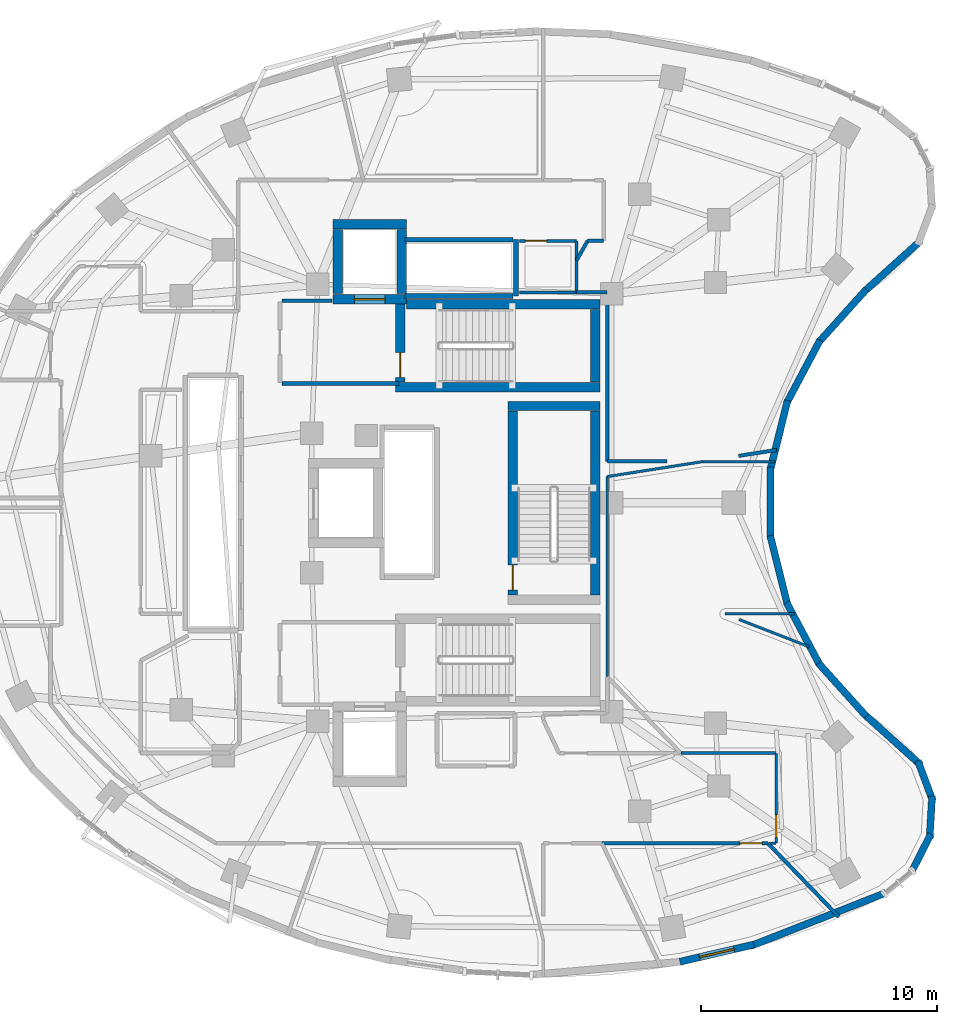
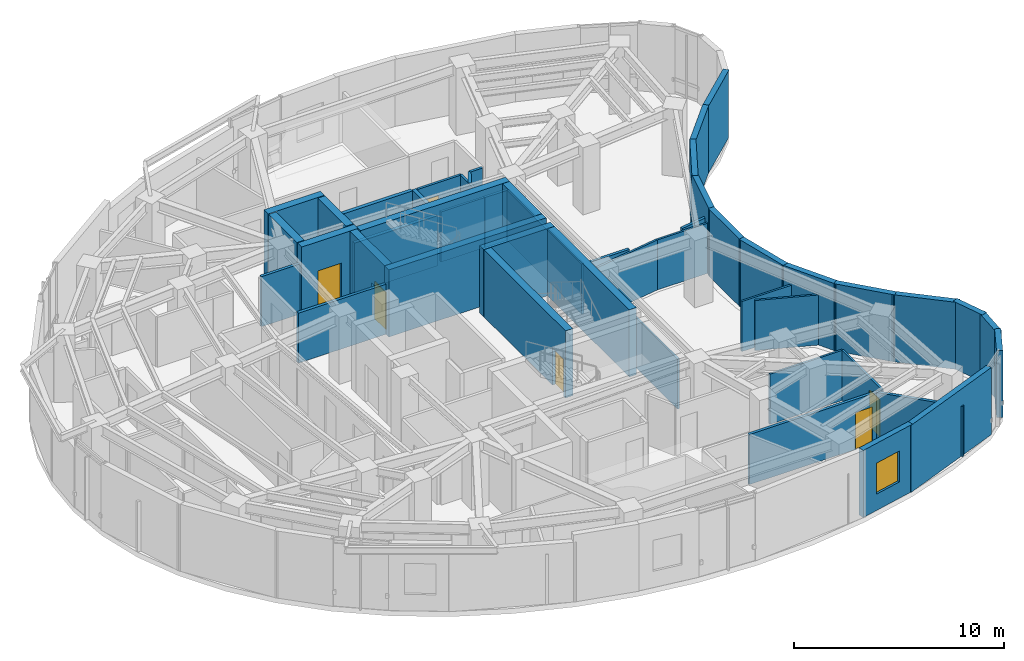
# One storey, part 9 of 13: 49 walls, 6 doors, 1 window, 7 openings.
"""IFC4 building model written with IfcOpenShell, lengths in metres."""

from ifc_helpers import new_model, si_unit, direction, frame, frame_2d, origin, place, context, subcontext, project, spatial, rectangle, extrude, material, layer, layer_set, type_object, element, fill, save


model = new_model("IFC4")

# Units and contexts
model_context = context("Model", 3, precision=1e-05, world=origin(), true_north=direction((0.0, 1.0)))
body_context = subcontext(model_context, "Body", "Model", "MODEL_VIEW")
ifc_project = project(units=[si_unit("LENGTHUNIT", "METRE"), si_unit("AREAUNIT", "SQUARE_METRE"), si_unit("VOLUMEUNIT", "CUBIC_METRE"), si_unit("PLANEANGLEUNIT", "RADIAN"), si_unit("MASSUNIT", "GRAM", prefix="KILO")], contexts=[model_context])

# Site, building, storey
site_placement = place(None, origin())
site = spatial("IfcSite", under=ifc_project, at=site_placement, CompositionType="ELEMENT")
building_placement = place(site_placement, origin())
building = spatial("IfcBuilding", under=site, at=building_placement, Name="Korentha Bioscience Tower", CompositionType="ELEMENT")
storey_placement = place(building_placement, frame((0.0, 0.0, 200.39990234375)))
storey = spatial("IfcBuildingStorey", under=building, at=storey_placement, Name="L46", CompositionType="ELEMENT", Elevation=200.39990234375)

# Walls
ifc_material_1 = material(Name="Double-Stud Acoustic Gypsum", Category="gypsum")
ifc_layer_1 = layer(ifc_material_1, 0.14990234375, Name="Double-Stud Acoustic Gypsum")
ifc_layer_set_1 = layer_set([ifc_layer_1], Name="Double-Stud Acoustic Gypsum (IW-L150)")
wall_type_1 = type_object("IfcWallType", Name="Acoustic Laboratory Partition Wall 150", PredefinedType="PARTITIONING", material=ifc_layer_set_1)
wall_1_placement = place(storey_placement, frame((36.5263671875, 38.090087890625, 0.0), z_axis=(0.0, 0.0, 1.0), x_axis=(1.0, 0.0, 0.0)))
element("IfcWall", 1, at=wall_1_placement, inside=storey, type_object=wall_type_1, Name="L46 Interior Partition 062", PredefinedType="PARTITIONING", context=body_context, shape_type="SweptSolid", body=[
    extrude(rectangle(XDim=0.673583984375, YDim=0.14990234375, at=frame_2d((0.3369140625, 0.0))), origin(), (0.0, 0.0, 1.0), 2.91015625),
])
wall_2_placement = place(storey_placement, frame((44.527099609375, 29.240478515625, 0.0), z_axis=(0.0, 0.0, 1.0), x_axis=(-0.987927620499, -0.154916160084, 0.0)))
element("IfcWall", 2, at=wall_2_placement, inside=storey, type_object=wall_type_1, Name="L46 Interior Partition 065", PredefinedType="PARTITIONING", context=body_context, shape_type="SweptSolid", body=[
    extrude(rectangle(XDim=1.629638671875, YDim=0.14990234375, at=frame_2d((0.81494140625, 0.0))), origin(), (0.0, 0.0, 1.0), 2.91015625),
])
wall_3_placement = place(storey_placement, frame((39.890869140625, 28.751953125, 0.0), z_axis=(0.0, 0.0, 1.0), x_axis=(-1.0, 0.0, 0.0)))
element("IfcWall", 3, at=wall_3_placement, inside=storey, type_object=wall_type_1, Name="L46 Interior Partition 066", PredefinedType="PARTITIONING", context=body_context, shape_type="SweptSolid", body=[
    extrude(rectangle(XDim=2.53076171875, YDim=0.14990234375, at=frame_2d((1.265380859375, 0.0))), origin(), (0.0, 0.0, 1.0), 2.91015625),
])
wall_4_placement = place(storey_placement, frame((37.360107421875, 28.751953125, 0.0), z_axis=(0.0, 0.0, 1.0), x_axis=(0.0, 1.0, 0.0)))
element("IfcWall", 4, at=wall_4_placement, inside=storey, type_object=wall_type_1, Name="L46 Interior Partition 067", PredefinedType="PARTITIONING", context=body_context, shape_type="SweptSolid", body=[
    extrude(rectangle(XDim=7.14794921875, YDim=0.14990234375, at=frame_2d((3.573974609375, 0.0))), origin(), (0.0, 0.0, 1.0), 2.91015625),
])
wall_5_placement = place(storey_placement, frame((37.35009765625, 35.909912109375, 0.0), z_axis=(0.0, 0.0, 1.0), x_axis=(-1.0, 0.0, 0.0)))
element("IfcWall", 5, at=wall_5_placement, inside=storey, type_object=wall_type_1, Name="L46 Interior Partition 068", PredefinedType="PARTITIONING", context=body_context, shape_type="SweptSolid", body=[
    extrude(rectangle(XDim=1.2900390625, YDim=0.14990234375, at=frame_2d((0.64501953125, 0.0))), origin(), (0.0, 0.0, 1.0), 2.91015625),
])
wall_6_placement = place(storey_placement, frame((36.06005859375, 37.26416015625, 0.0), z_axis=(0.0, 0.0, 1.0), x_axis=(0.491641592744, 0.8707976483, 0.0)))
element("IfcWall", 6, at=wall_6_placement, inside=storey, type_object=wall_type_1, Name="L46 Interior Partition 069", PredefinedType="PARTITIONING", context=body_context, shape_type="SweptSolid", body=[
    extrude(rectangle(XDim=0.948486328125, YDim=0.14990234375, at=frame_2d((0.47412109375, 0.0))), origin(), (0.0, 0.0, 1.0), 2.91015625),
])

# Wall, opening, door
ifc_material_2 = material(Name="Fire-Rated Framed Glass", Category="glass")
ifc_layer_2 = layer(ifc_material_2, 0.110107421875, Name="Fire-Rated Framed Glass")
ifc_layer_set_2 = layer_set([ifc_layer_2], Name="Fire-Rated Framed Glass (IW-G110)")
wall_type_2 = type_object("IfcWallType", Name="Demountable Glazed Office Partition 110", PredefinedType="MOVABLE", material=ifc_layer_set_2)
wall_7_placement = place(storey_placement, frame((44.510009765625, 12.60009765625, 0.0), z_axis=(0.0, 0.0, 1.0), x_axis=(0.0, 1.0, 0.0)))
wall_7 = element("IfcWall", 7, at=wall_7_placement, inside=storey, type_object=wall_type_2, Name="L46 Postdoctoral Fellows' Quiet Study 07 Entrance Wall", PredefinedType="MOVABLE", context=body_context, shape_type="SweptSolid", body=[
    extrude(rectangle(XDim=3.7998046875, YDim=0.110107421875, at=frame_2d((1.89990234375, 0.0))), origin(), (0.0, 0.0, 1.0), 2.91015625),
])
opening_1_placement = place(wall_7_placement, frame((0.239990234375, 0.0, 0.0)))
opening_1 = element("IfcOpeningElement", 8, at=opening_1_placement, cuts=wall_7, Name="Opening ID-10L", PredefinedType="OPENING", context=body_context, shape_type="SweptSolid", body=[
    extrude(rectangle(XDim=0.949951171875, YDim=2.14990234375, at=frame_2d((0.47509765625, 1.074951171875))), frame((0.0, 0.06982421875, 0.0), z_axis=(0.0, -1.0, 0.0), x_axis=(1.0, 0.0, 0.0)), (0.0, 0.0, 1.0), 0.139892578125),
])
ifc_material_3 = material(Name="Phenolic Laminate Timber Core", Category="wood")
door_type_1 = type_object("IfcDoorType", Name="Laboratory Single Leaf Door 950x2150 Left", OperationType="SINGLE_SWING_LEFT", PredefinedType="DOOR", material=ifc_material_3)
door_1_placement = place(opening_1_placement, origin())
door_1 = element("IfcDoor", 9, at=door_1_placement, inside=storey, type_object=door_type_1, Name="L46 Postdoctoral Fellows' Quiet Study 07 Door", OperationType="SINGLE_SWING_LEFT", OverallHeight=2.14990234375, OverallWidth=0.949951171875, PredefinedType="DOOR", context=body_context, shape_type="SweptSolid", body=[
    extrude(rectangle(XDim=0.949951171875, YDim=2.14990234375, at=frame_2d((0.47509765625, 1.074951171875))), frame((0.0, 0.02490234375, 0.0), z_axis=(0.0, -1.0, 0.0), x_axis=(1.0, 0.0, 0.0)), (0.0, 0.0, 1.0), 0.050048828125),
])
fill(opening_1, door_1)

# Walls
wall_8_placement = place(storey_placement, frame((41.413818359375, 28.748046875, 0.0), z_axis=(0.0, 0.0, 1.0), x_axis=(1.0, 0.0, 0.0)))
element("IfcWall", 10, at=wall_8_placement, inside=storey, type_object=wall_type_2, Name="L46 Interior Partition 055", PredefinedType="MOVABLE", context=body_context, shape_type="SweptSolid", body=[
    extrude(rectangle(XDim=3.032958984375, YDim=0.110107421875, at=frame_2d((1.5166015625, 0.0))), origin(), (0.0, 0.0, 1.0), 2.91015625),
])
wall_9_placement = place(storey_placement, frame((45.27783203125, 22.302001953125, 0.0), z_axis=(0.0, 0.0, 1.0), x_axis=(-1.0, 0.0, 0.0)))
element("IfcWall", 11, at=wall_9_placement, inside=storey, type_object=wall_type_2, Name="L46 Interior Partition 056", PredefinedType="MOVABLE", context=body_context, shape_type="SweptSolid", body=[
    extrude(rectangle(XDim=2.93408203125, YDim=0.110107421875, at=frame_2d((1.467041015625, 0.0))), origin(), (0.0, 0.0, 1.0), 2.91015625),
])
wall_10_placement = place(storey_placement, frame((42.93896484375, 22.06201171875, 0.0), z_axis=(0.0, 0.0, 1.0), x_axis=(0.931857637411, -0.362824122129, 0.0)))
element("IfcWall", 12, at=wall_10_placement, inside=storey, type_object=wall_type_2, Name="L46 Interior Partition 057", PredefinedType="MOVABLE", context=body_context, shape_type="SweptSolid", body=[
    extrude(rectangle(XDim=3.18017578125, YDim=0.110107421875, at=frame_2d((1.590087890625, 0.0))), origin(), (0.0, 0.0, 1.0), 2.91015625),
])
wall_11_placement = place(storey_placement, frame((44.271728515625, 12.590087890625, 0.0), z_axis=(0.0, 0.0, 1.0), x_axis=(1.0, 0.0, 0.0)))
element("IfcWall", 13, at=wall_11_placement, inside=storey, type_object=wall_type_2, Name="L46 Interior Partition 058", PredefinedType="MOVABLE", context=body_context, shape_type="SweptSolid", body=[
    extrude(rectangle(XDim=0.228271484375, YDim=0.110107421875, at=frame_2d((0.1142578125, 0.0))), origin(), (0.0, 0.0, 1.0), 2.91015625),
])
wall_12_placement = place(storey_placement, frame((44.5, 16.409912109375, 0.0), z_axis=(0.0, 0.0, 1.0), x_axis=(-1.0, 0.0, 0.0)))
element("IfcWall", 14, at=wall_12_placement, inside=storey, type_object=wall_type_2, Name="L46 Interior Partition 059", PredefinedType="MOVABLE", context=body_context, shape_type="SweptSolid", body=[
    extrude(rectangle(XDim=4.017822265625, YDim=0.110107421875, at=frame_2d((2.0087890625, 0.0))), origin(), (0.0, 0.0, 1.0), 2.91015625),
])
wall_13_placement = place(storey_placement, frame((37.360107421875, 19.64697265625, 0.0), z_axis=(0.0, 0.0, 1.0), x_axis=(0.0, 1.0, 0.0)))
element("IfcWall", 15, at=wall_13_placement, inside=storey, type_object=wall_type_2, Name="L46 Interior Partition 060", PredefinedType="MOVABLE", context=body_context, shape_type="SweptSolid", body=[
    extrude(rectangle(XDim=8.46484375, YDim=0.110107421875, at=frame_2d((4.232421875, 0.0))), origin(), (0.0, 0.0, 1.0), 2.91015625),
])
wall_14_placement = place(storey_placement, frame((37.360107421875, 28.11181640625, 0.0), z_axis=(0.0, 0.0, 1.0), x_axis=(0.987904875431, 0.155061139877, 0.0)))
element("IfcWall", 16, at=wall_14_placement, inside=storey, type_object=wall_type_2, Name="L46 Interior Partition 061", PredefinedType="MOVABLE", context=body_context, shape_type="SweptSolid", body=[
    extrude(rectangle(XDim=4.10302734375, YDim=0.110107421875, at=frame_2d((2.051513671875, 0.0))), origin(), (0.0, 0.0, 1.0), 2.91015625),
])
ifc_material_4 = material(Name="Gypsum-Clad Steel Stud", Category="steel")
ifc_layer_3 = layer(ifc_material_4, 0.159912109375, Name="Gypsum-Clad Steel Stud")
ifc_layer_set_3 = layer_set([ifc_layer_3], Name="Gypsum-Clad Steel Stud (IW-C160)")
wall_type_3 = type_object("IfcWallType", Name="Fire-Rated Corridor Partition Wall 160", PredefinedType="PARTITIONING", material=ifc_layer_set_3)
wall_15_placement = place(storey_placement, frame((23.580078125, 32.050048828125, 0.0), z_axis=(0.0, 0.0, 1.0), x_axis=(1.0, 0.0, 0.0)))
element("IfcWall", 17, at=wall_15_placement, inside=storey, type_object=wall_type_3, Name="L46 Firefighting Lobby Return Wall FFLN-S", PredefinedType="PARTITIONING", context=body_context, shape_type="SweptSolid", body=[
    extrude(rectangle(XDim=4.969970703125, YDim=0.159912109375, at=frame_2d((2.48486328125, 0.0))), origin(), (0.0, 0.0, 1.0), 2.91015625),
])
wall_16_placement = place(storey_placement, frame((23.580078125, 35.550048828125, 0.0), z_axis=(0.0, 0.0, 1.0), x_axis=(1.0, 0.0, 0.0)))
element("IfcWall", 18, at=wall_16_placement, inside=storey, type_object=wall_type_3, Name="L46 Firefighting Lobby Return Wall FFLN-N", PredefinedType="PARTITIONING", context=body_context, shape_type="SweptSolid", body=[
    extrude(rectangle(XDim=2.119873046875, YDim=0.159912109375, at=frame_2d((1.06005859375, 0.0))), origin(), (0.0, 0.0, 1.0), 2.91015625),
])

# Wall, opening, door
wall_17_placement = place(storey_placement, frame((37.143310546875, 12.590087890625, 0.0), z_axis=(0.0, 0.0, 1.0), x_axis=(1.0, 0.0, 0.0)))
wall_17 = element("IfcWall", 19, at=wall_17_placement, inside=storey, type_object=wall_type_3, Name="L46 Solvent and Chemical Weighing Room 05 Entrance Wall", PredefinedType="PARTITIONING", context=body_context, shape_type="SweptSolid", body=[
    extrude(rectangle(XDim=7.01318359375, YDim=0.159912109375, at=frame_2d((3.506591796875, 0.0))), origin(), (0.0, 0.0, 1.0), 2.91015625),
])
opening_2_placement = place(wall_17_placement, frame((5.822998046875, 0.0, 0.0)))
opening_2 = element("IfcOpeningElement", 20, at=opening_2_placement, cuts=wall_17, Name="Opening ID-10L", PredefinedType="OPENING", context=body_context, shape_type="SweptSolid", body=[
    extrude(rectangle(XDim=0.949951171875, YDim=2.14990234375, at=frame_2d((0.47509765625, 1.074951171875))), frame((0.0, 0.0947265625, 0.0), z_axis=(0.0, -1.0, 0.0), x_axis=(1.0, 0.0, 0.0)), (0.0, 0.0, 1.0), 0.189697265625),
])
door_2_placement = place(opening_2_placement, origin())
door_2 = element("IfcDoor", 21, at=door_2_placement, inside=storey, type_object=door_type_1, Name="L46 Solvent and Chemical Weighing Room 05 Door", OperationType="SINGLE_SWING_LEFT", OverallHeight=2.14990234375, OverallWidth=0.949951171875, PredefinedType="DOOR", context=body_context, shape_type="SweptSolid", body=[
    extrude(rectangle(XDim=0.949951171875, YDim=2.14990234375, at=frame_2d((0.47509765625, 1.074951171875))), frame((0.0, 0.02490234375, 0.0), z_axis=(0.0, -1.0, 0.0), x_axis=(1.0, 0.0, 0.0)), (0.0, 0.0, 1.0), 0.050048828125),
])
fill(opening_2, door_2)

# Wall
wall_18_placement = place(storey_placement, frame((44.156494140625, 12.590087890625, 0.0), z_axis=(0.0, 0.0, 1.0), x_axis=(0.694194120351, -0.719787832121, 0.0)))
element("IfcWall", 22, at=wall_18_placement, inside=storey, type_object=wall_type_3, Name="L46 Interior Partition 049", PredefinedType="PARTITIONING", context=body_context, shape_type="SweptSolid", body=[
    extrude(rectangle(XDim=4.3212890625, YDim=0.159912109375, at=frame_2d((2.16064453125, 0.0))), origin(), (0.0, 0.0, 1.0), 2.91015625),
])

# Wall, opening, window
ifc_material_5 = material(Name="Honed Limestone Precast Concrete C40", Category="masonry")
ifc_layer_4 = layer(ifc_material_5, 0.300048828125, Name="Honed Limestone Precast Concrete C40")
ifc_layer_set_4 = layer_set([ifc_layer_4], Name="Honed Limestone Precast Concrete C40 (EW-ST300)")
wall_type_4 = type_object("IfcWallType", Name="Honed Limestone Cavity Spandrel Wall 300", PredefinedType="STANDARD", material=ifc_layer_set_4)
wall_19_placement = place(storey_placement, frame((40.43212890625, 7.5771484375, 0.0), z_axis=(0.0, 0.0, 1.0), x_axis=(0.974139105955, 0.225949114292, 0.0)))
wall_19 = element("IfcWall", 23, at=wall_19_placement, inside=storey, type_object=wall_type_4, Name="L46 Honed Limestone Spandrel Wall 34", PredefinedType="STANDARD", context=body_context, shape_type="SweptSolid", body=[
    extrude(rectangle(XDim=3.20703125, YDim=0.300048828125, at=frame_2d((1.603515625, 0.0))), origin(), (0.0, 0.0, 1.0), 3.900146484375),
])
opening_3_placement = place(wall_19_placement, frame((0.853515625, 0.0, 0.949951171875)))
opening_3 = element("IfcOpeningElement", 24, at=opening_3_placement, cuts=wall_19, Name="Opening WN-02", PredefinedType="OPENING", context=body_context, shape_type="SweptSolid", body=[
    extrude(rectangle(XDim=1.5, YDim=1.800048828125, at=frame_2d((0.75, 0.89990234375))), frame((0.0, 0.1650390625, 0.0), z_axis=(0.0, -1.0, 0.0), x_axis=(1.0, 0.0, 0.0)), (0.0, 0.0, 1.0), 0.329833984375),
])
ifc_material_6 = material(Name="Thermally Broken Aluminium Triple Glazing", Category="aluminium")
window_type = type_object("IfcWindowType", Name="Acoustic Operable Office Window 1500x1800", PartitioningType="DOUBLE_PANEL_VERTICAL", PredefinedType="WINDOW", material=ifc_material_6)
window_placement = place(opening_3_placement, origin())
window = element("IfcWindow", 25, at=window_placement, inside=storey, type_object=window_type, Name="L46 Facade Window 34", OverallHeight=1.800048828125, OverallWidth=1.5, PartitioningType="DOUBLE_PANEL_VERTICAL", PredefinedType="WINDOW", context=body_context, shape_type="SweptSolid", body=[
    extrude(rectangle(XDim=1.5, YDim=1.800048828125, at=frame_2d((0.75, 0.89990234375))), frame((0.0, 0.030029296875, 0.0), z_axis=(0.0, -1.0, 0.0), x_axis=(1.0, 0.0, 0.0)), (0.0, 0.0, 1.0), 0.06005859375),
])
fill(opening_3, window)

# Walls
wall_20_placement = place(storey_placement, frame((43.408203125, 8.233154296875, 0.0), z_axis=(0.0, 0.0, 1.0), x_axis=(0.930442798472, 0.366437168928, 0.0)))
element("IfcWall", 26, at=wall_20_placement, inside=storey, type_object=wall_type_4, Name="L46 Limestone Perimeter Closure Wall 35", PredefinedType="STANDARD", context=body_context, shape_type="SweptSolid", body=[
    extrude(rectangle(XDim=6.158935546875, YDim=0.300048828125, at=frame_2d((3.07958984375, 0.0))), origin(), (0.0, 0.0, 1.0), 3.900146484375),
])
wall_21_placement = place(storey_placement, frame((50.235595703125, 11.37060546875, 0.0), z_axis=(0.0, 0.0, 1.0), x_axis=(0.454139309712, 0.890930686066, 0.0)))
element("IfcWall", 27, at=wall_21_placement, inside=storey, type_object=wall_type_4, Name="L46 Limestone Perimeter Closure Wall 38", PredefinedType="STANDARD", context=body_context, shape_type="SweptSolid", body=[
    extrude(rectangle(XDim=1.8154296875, YDim=0.300048828125, at=frame_2d((0.90771484375, 0.0))), origin(), (0.0, 0.0, 1.0), 3.900146484375),
])
wall_22_placement = place(storey_placement, frame((51.00390625, 12.781494140625, 0.0), z_axis=(0.0, 0.0, 1.0), x_axis=(0.057436686529, 0.998349150869, 0.0)))
element("IfcWall", 28, at=wall_22_placement, inside=storey, type_object=wall_type_4, Name="L46 Limestone Perimeter Closure Wall 39", PredefinedType="STANDARD", context=body_context, shape_type="SweptSolid", body=[
    extrude(rectangle(XDim=1.81494140625, YDim=0.300048828125, at=frame_2d((0.907470703125, 0.0))), origin(), (0.0, 0.0, 1.0), 3.900146484375),
])
wall_23_placement = place(storey_placement, frame((51.139892578125, 14.3818359375, 0.0), z_axis=(0.0, 0.0, 1.0), x_axis=(-0.348882068324, 0.937166635344, 0.0)))
element("IfcWall", 29, at=wall_23_placement, inside=storey, type_object=wall_type_4, Name="L46 Limestone Perimeter Closure Wall 40", PredefinedType="STANDARD", context=body_context, shape_type="SweptSolid", body=[
    extrude(rectangle(XDim=1.815185546875, YDim=0.300048828125, at=frame_2d((0.90771484375, 0.0))), origin(), (0.0, 0.0, 1.0), 3.900146484375),
])
wall_24_placement = place(storey_placement, frame((50.63134765625, 15.8994140625, 0.0), z_axis=(0.0, 0.0, 1.0), x_axis=(-0.743417638904, 0.668827492083, 0.0)))
element("IfcWall", 30, at=wall_24_placement, inside=storey, type_object=wall_type_4, Name="L46 Limestone Perimeter Closure Wall 41", PredefinedType="STANDARD", context=body_context, shape_type="SweptSolid", body=[
    extrude(rectangle(XDim=3.24365234375, YDim=0.300048828125, at=frame_2d((1.621826171875, 0.0))), origin(), (0.0, 0.0, 1.0), 3.900146484375),
])
for number, where, z_axis, x_axis, name in (
    (31, (48.322509765625, 17.96630859375, 0.0), (0.0, 0.0, 1.0), (-0.669129534294, 0.743145790768, 0.0), "L46 Limestone Perimeter Closure Wall 43"),
    (32, (46.367919921875, 20.114501953125, 0.0), (0.0, 0.0, 1.0), (-0.469487277589, 0.88293923697, 0.0), "L46 Limestone Perimeter Closure Wall 45"),
):
    element("IfcWall", number, at=place(storey_placement, frame(where, z_axis=z_axis, x_axis=x_axis)), inside=storey, type_object=wall_type_4, Name=name, PredefinedType="STANDARD", context=body_context, shape_type="SweptSolid", body=[
        extrude(rectangle(XDim=3.028076171875, YDim=0.300048828125, at=frame_2d((1.51416015625, 0.0))), origin(), (0.0, 0.0, 1.0), 3.900146484375),
    ])
wall_25_placement = place(storey_placement, frame((44.990966796875, 22.671630859375, 0.0), z_axis=(0.0, 0.0, 1.0), x_axis=(-0.241947511962, 0.97028933904, 0.0)))
element("IfcWall", 33, at=wall_25_placement, inside=storey, type_object=wall_type_4, Name="L46 Limestone Perimeter Closure Wall 47", PredefinedType="STANDARD", context=body_context, shape_type="SweptSolid", body=[
    extrude(rectangle(XDim=3.0283203125, YDim=0.300048828125, at=frame_2d((1.51416015625, 0.0))), origin(), (0.0, 0.0, 1.0), 3.900146484375),
])
wall_26_placement = place(storey_placement, frame((44.273681640625, 25.486083984375, 0.0), z_axis=(0.0, 0.0, 1.0), x_axis=(0.0, 1.0, 0.0)))
element("IfcWall", 34, at=wall_26_placement, inside=storey, type_object=wall_type_4, Name="L46 Limestone Perimeter Closure Wall 49", PredefinedType="STANDARD", context=body_context, shape_type="SweptSolid", body=[
    extrude(rectangle(XDim=3.02783203125, YDim=0.300048828125, at=frame_2d((1.513916015625, 0.0))), origin(), (0.0, 0.0, 1.0), 3.900146484375),
])
wall_27_placement = place(storey_placement, frame((44.25830078125, 28.39013671875, 0.0), z_axis=(0.0, 0.0, 1.0), x_axis=(0.241947511962, 0.97028933904, 0.0)))
element("IfcWall", 35, at=wall_27_placement, inside=storey, type_object=wall_type_4, Name="L46 Limestone Perimeter Closure Wall 51", PredefinedType="STANDARD", context=body_context, shape_type="SweptSolid", body=[
    extrude(rectangle(XDim=3.0283203125, YDim=0.300048828125, at=frame_2d((1.51416015625, 0.0))), origin(), (0.0, 0.0, 1.0), 3.900146484375),
])
for number, where, z_axis, x_axis, name in (
    (36, (44.9462890625, 31.2119140625, 0.0), (0.0, 0.0, 1.0), (0.469487277589, 0.88293923697, 0.0), "L46 Limestone Perimeter Closure Wall 53"),
    (37, (46.29638671875, 33.783447265625, 0.0), (0.0, 0.0, 1.0), (0.669129534294, 0.743145790768, 0.0), "L46 Limestone Perimeter Closure Wall 55"),
):
    element("IfcWall", number, at=place(storey_placement, frame(where, z_axis=z_axis, x_axis=x_axis)), inside=storey, type_object=wall_type_4, Name=name, PredefinedType="STANDARD", context=body_context, shape_type="SweptSolid", body=[
        extrude(rectangle(XDim=3.028076171875, YDim=0.300048828125, at=frame_2d((1.51416015625, 0.0))), origin(), (0.0, 0.0, 1.0), 3.900146484375),
    ])
wall_28_placement = place(storey_placement, frame((48.219970703125, 35.93115234375, 0.0), z_axis=(0.0, 0.0, 1.0), x_axis=(0.743417638904, 0.668827492083, 0.0)))
element("IfcWall", 38, at=wall_28_placement, inside=storey, type_object=wall_type_4, Name="L46 Limestone Perimeter Closure Wall 57", PredefinedType="STANDARD", context=body_context, shape_type="SweptSolid", body=[
    extrude(rectangle(XDim=3.24365234375, YDim=0.300048828125, at=frame_2d((1.621826171875, 0.0))), origin(), (0.0, 0.0, 1.0), 3.900146484375),
])
ifc_material_7 = material(Name="Autoclaved Aerated Concrete Block C25", Category="concrete")
ifc_layer_5 = layer(ifc_material_7, 0.199951171875, Name="Autoclaved Aerated Concrete Block C25")
ifc_layer_set_5 = layer_set([ifc_layer_5], Name="Autoclaved Aerated Concrete Block C25 (IW-S200)")
wall_type_5 = type_object("IfcWallType", Name="Lift and Riser Shaft Enclosure Wall 200", PredefinedType="PARTITIONING", material=ifc_layer_set_5)
wall_29_placement = place(storey_placement, frame((33.489990234375, 35.760009765625, 0.0), z_axis=(0.0, 0.0, 1.0), x_axis=(0.0, 1.0, 0.0)))
element("IfcWall", 39, at=wall_29_placement, inside=storey, type_object=wall_type_5, Name="L46 Lift Bank OBS Shaft Wall +X", PredefinedType="PARTITIONING", context=body_context, shape_type="SweptSolid", body=[
    extrude(rectangle(XDim=2.3798828125, YDim=0.199951171875, at=frame_2d((1.18994140625, 0.0))), origin(), (0.0, 0.0, 1.0), 2.91015625),
])
for number, where, z_axis, x_axis, name in (
    (40, (28.800048828125, 35.760009765625, 0.0), (0.0, 0.0, 1.0), (1.0, 0.0, 0.0), "L46 Lift Bank OBS Shaft Wall -Y"),
    (41, (28.800048828125, 38.139892578125, 0.0), (0.0, 0.0, 1.0), (1.0, 0.0, 0.0), "L46 Lift Bank OBS Shaft Wall +Y"),
):
    element("IfcWall", number, at=place(storey_placement, frame(where, z_axis=z_axis, x_axis=x_axis)), inside=storey, type_object=wall_type_5, Name=name, PredefinedType="PARTITIONING", context=body_context, shape_type="SweptSolid", body=[
        extrude(rectangle(XDim=4.570068359375, YDim=0.199951171875, at=frame_2d((2.28515625, 0.0))), origin(), (0.0, 0.0, 1.0), 2.91015625),
    ])
ifc_material_8 = material(Name="Concrete C65", Category="concrete")
ifc_layer_6 = layer(ifc_material_8, 0.39990234375, Name="Concrete C65")
ifc_layer_set_6 = layer_set([ifc_layer_6], Name="Concrete C65 (CW-C65)")
wall_type_6 = type_object("IfcWallType", Name="Mid-Rise Core Shear Wall 400", PredefinedType="SHEAR", material=ifc_layer_set_6)
wall_30_placement = place(storey_placement, frame((28.85205078125, 35.39990234375, 0.0), z_axis=(0.0, 0.0, 1.0), x_axis=(1.0, 0.0, 0.0)))
element("IfcWall", 42, at=wall_30_placement, inside=storey, type_object=wall_type_6, Name="L46 Core Shear Wall ST1-N", PredefinedType="SHEAR", context=body_context, shape_type="SweptSolid", body=[
    extrude(rectangle(XDim=8.197998046875, YDim=0.39990234375, at=frame_2d((4.09912109375, 0.0))), origin(), (0.0, 0.0, 1.0), 3.900146484375),
])
wall_31_placement = place(storey_placement, frame((28.39990234375, 31.89990234375, 0.0), z_axis=(0.0, 0.0, 1.0), x_axis=(1.0, 0.0, 0.0)))
element("IfcWall", 43, at=wall_31_placement, inside=storey, type_object=wall_type_6, Name="L46 Core Shear Wall ST1-S", PredefinedType="SHEAR", context=body_context, shape_type="SweptSolid", body=[
    extrude(rectangle(XDim=8.650146484375, YDim=0.39990234375, at=frame_2d((4.3251953125, 0.0))), origin(), (0.0, 0.0, 1.0), 3.900146484375),
])
wall_32_placement = place(storey_placement, frame((36.85009765625, 32.110107421875, 0.0), z_axis=(0.0, 0.0, 1.0), x_axis=(0.0, 1.0, 0.0)))
element("IfcWall", 44, at=wall_32_placement, inside=storey, type_object=wall_type_6, Name="L46 Core Shear Wall ST1-E", PredefinedType="SHEAR", context=body_context, shape_type="SweptSolid", body=[
    extrude(rectangle(XDim=3.079833984375, YDim=0.39990234375, at=frame_2d((1.5400390625, 0.0))), origin(), (0.0, 0.0, 1.0), 3.900146484375),
])

# Wall, opening, door
wall_33_placement = place(storey_placement, frame((28.60009765625, 32.110107421875, 0.0), z_axis=(0.0, 0.0, 1.0), x_axis=(0.0, 1.0, 0.0)))
wall_33 = element("IfcWall", 45, at=wall_33_placement, inside=storey, type_object=wall_type_6, Name="L46 Core Shear Wall ST1-W", PredefinedType="SHEAR", context=body_context, shape_type="SweptSolid", body=[
    extrude(rectangle(XDim=3.307861328125, YDim=0.39990234375, at=frame_2d((1.65380859375, 0.0))), origin(), (0.0, 0.0, 1.0), 3.900146484375),
])
opening_4_placement = place(wall_33_placement, frame((0.199951171875, 0.0, 0.0)))
opening_4 = element("IfcOpeningElement", 46, at=opening_4_placement, cuts=wall_33, Name="Opening FD-90L", PredefinedType="OPENING", context=body_context, shape_type="SweptSolid", body=[
    extrude(rectangle(XDim=1.050048828125, YDim=2.14990234375, at=frame_2d((0.52490234375, 1.074951171875))), frame((0.0, 0.21484375, 0.0), z_axis=(0.0, -1.0, 0.0), x_axis=(1.0, 0.0, 0.0)), (0.0, 0.0, 1.0), 0.4296875),
])
ifc_material_9 = material(Name="Powder-Coated Fire-Rated Steel", Category="steel")
door_type_2 = type_object("IfcDoorType", Name="Stairwell Fire Exit Door 1050x2150 Left", OperationType="SINGLE_SWING_LEFT", PredefinedType="DOOR", material=ifc_material_9)
door_3_placement = place(opening_4_placement, origin())
door_3 = element("IfcDoor", 47, at=door_3_placement, inside=storey, type_object=door_type_2, Name="L46 ST-1 Fire Exit Stair Door", OperationType="SINGLE_SWING_LEFT", OverallHeight=2.14990234375, OverallWidth=1.050048828125, PredefinedType="DOOR", context=body_context, shape_type="SweptSolid", body=[
    extrude(rectangle(XDim=1.050048828125, YDim=2.14990234375, at=frame_2d((0.52490234375, 1.074951171875))), frame((0.0, 0.02490234375, 0.0), z_axis=(0.0, -1.0, 0.0), x_axis=(1.0, 0.0, 0.0)), (0.0, 0.0, 1.0), 0.050048828125),
])
fill(opening_4, door_3)

# Walls
wall_34_placement = place(storey_placement, frame((33.14990234375, 31.10009765625, 0.0), z_axis=(0.0, 0.0, 1.0), x_axis=(1.0, 0.0, 0.0)))
element("IfcWall", 48, at=wall_34_placement, inside=storey, type_object=wall_type_6, Name="L46 Core Shear Wall ST3-N", PredefinedType="SHEAR", context=body_context, shape_type="SweptSolid", body=[
    extrude(rectangle(XDim=3.900146484375, YDim=0.39990234375, at=frame_2d((1.9501953125, 0.0))), origin(), (0.0, 0.0, 1.0), 3.900146484375),
])
wall_35_placement = place(storey_placement, frame((36.85009765625, 23.110107421875, 0.0), z_axis=(0.0, 0.0, 1.0), x_axis=(0.0, 1.0, 0.0)))
element("IfcWall", 49, at=wall_35_placement, inside=storey, type_object=wall_type_6, Name="L46 Core Shear Wall ST3-E", PredefinedType="SHEAR", context=body_context, shape_type="SweptSolid", body=[
    extrude(rectangle(XDim=7.77978515625, YDim=0.39990234375, at=frame_2d((3.889892578125, 0.0))), origin(), (0.0, 0.0, 1.0), 3.900146484375),
])

# Wall, opening, door
wall_36_placement = place(storey_placement, frame((33.35009765625, 23.110107421875, 0.0), z_axis=(0.0, 0.0, 1.0), x_axis=(0.0, 1.0, 0.0)))
wall_36 = element("IfcWall", 50, at=wall_36_placement, inside=storey, type_object=wall_type_6, Name="L46 Core Shear Wall ST3-W", PredefinedType="SHEAR", context=body_context, shape_type="SweptSolid", body=[
    extrude(rectangle(XDim=7.77978515625, YDim=0.39990234375, at=frame_2d((3.889892578125, 0.0))), origin(), (0.0, 0.0, 1.0), 3.900146484375),
])
opening_5_placement = place(wall_36_placement, frame((0.199951171875, 0.0, 0.0)))
opening_5 = element("IfcOpeningElement", 51, at=opening_5_placement, cuts=wall_36, Name="Opening FD-90L", PredefinedType="OPENING", context=body_context, shape_type="SweptSolid", body=[
    extrude(rectangle(XDim=1.050048828125, YDim=2.14990234375, at=frame_2d((0.52490234375, 1.074951171875))), frame((0.0, 0.21484375, 0.0), z_axis=(0.0, -1.0, 0.0), x_axis=(1.0, 0.0, 0.0)), (0.0, 0.0, 1.0), 0.4296875),
])
door_4_placement = place(opening_5_placement, origin())
door_4 = element("IfcDoor", 52, at=door_4_placement, inside=storey, type_object=door_type_2, Name="L46 ST-3 Fire Exit Stair Door", OperationType="SINGLE_SWING_LEFT", OverallHeight=2.14990234375, OverallWidth=1.050048828125, PredefinedType="DOOR", context=body_context, shape_type="SweptSolid", body=[
    extrude(rectangle(XDim=1.050048828125, YDim=2.14990234375, at=frame_2d((0.52490234375, 1.074951171875))), frame((0.0, 0.02490234375, 0.0), z_axis=(0.0, -1.0, 0.0), x_axis=(1.0, 0.0, 0.0)), (0.0, 0.0, 1.0), 0.050048828125),
])
fill(opening_5, door_4)

# Wall
wall_37_placement = place(storey_placement, frame((25.75, 38.800048828125, 0.0), z_axis=(0.0, 0.0, 1.0), x_axis=(1.0, 0.0, 0.0)))
element("IfcWall", 53, at=wall_37_placement, inside=storey, type_object=wall_type_6, Name="L46 Core Shear Wall FFL2-N", PredefinedType="SHEAR", context=body_context, shape_type="SweptSolid", body=[
    extrude(rectangle(XDim=3.10009765625, YDim=0.39990234375, at=frame_2d((1.550048828125, 0.0))), origin(), (0.0, 0.0, 1.0), 3.900146484375),
])

# Wall, opening, door
wall_38_placement = place(storey_placement, frame((25.75, 35.6201171875, 0.0), z_axis=(0.0, 0.0, 1.0), x_axis=(1.0, 0.0, 0.0)))
wall_38 = element("IfcWall", 54, at=wall_38_placement, inside=storey, type_object=wall_type_6, Name="L46 Core Shear Wall FFL2-S", PredefinedType="SHEAR", context=body_context, shape_type="SweptSolid", body=[
    extrude(rectangle(XDim=3.10009765625, YDim=0.39990234375, at=frame_2d((1.550048828125, 0.0))), origin(), (0.0, 0.0, 1.0), 3.900146484375),
])
opening_6_placement = place(wall_38_placement, frame((0.89990234375, 0.0, 0.0)))
opening_6 = element("IfcOpeningElement", 55, at=opening_6_placement, cuts=wall_38, Name="Opening LD-13", PredefinedType="OPENING", context=body_context, shape_type="SweptSolid", body=[
    extrude(rectangle(XDim=1.300048828125, YDim=2.199951171875, at=frame_2d((0.64990234375, 1.10009765625))), frame((0.0, 0.21484375, 0.0), z_axis=(0.0, -1.0, 0.0), x_axis=(1.0, 0.0, 0.0)), (0.0, 0.0, 1.0), 0.4296875),
])
ifc_material_10 = material(Name="Brushed Stainless Steel 316", Category="steel")
door_type_3 = type_object("IfcDoorType", Name="Service & Firefighting Lift Landing Door 1300x2300", OperationType="DOUBLE_DOOR_SLIDING", PredefinedType="DOOR", material=ifc_material_10)
door_5_placement = place(opening_6_placement, origin())
door_5 = element("IfcDoor", 56, at=door_5_placement, inside=storey, type_object=door_type_3, Name="L46 FFL-2 Sliding Lift Landing Door", OperationType="DOUBLE_DOOR_SLIDING", OverallHeight=2.199951171875, OverallWidth=1.300048828125, PredefinedType="DOOR", context=body_context, shape_type="SweptSolid", body=[
    extrude(rectangle(XDim=1.300048828125, YDim=2.199951171875, at=frame_2d((0.64990234375, 1.10009765625))), frame((0.0, 0.02490234375, 0.0), z_axis=(0.0, -1.0, 0.0), x_axis=(1.0, 0.0, 0.0)), (0.0, 0.0, 1.0), 0.050048828125),
])
fill(opening_6, door_5)

# Walls
for number, where, z_axis, x_axis, name in (
    (57, (25.949951171875, 35.860107421875, 0.0), (0.0, 0.0, 1.0), (0.0, 1.0, 0.0), "L46 Core Shear Wall FFL2-W"),
    (58, (28.64990234375, 35.860107421875, 0.0), (0.0, 0.0, 1.0), (0.0, 1.0, 0.0), "L46 Core Shear Wall FFL2-E"),
):
    element("IfcWall", number, at=place(storey_placement, frame(where, z_axis=z_axis, x_axis=x_axis)), inside=storey, type_object=wall_type_6, Name=name, PredefinedType="SHEAR", context=body_context, shape_type="SweptSolid", body=[
        extrude(rectangle(XDim=2.699951171875, YDim=0.39990234375, at=frame_2d((1.35009765625, 0.0))), origin(), (0.0, 0.0, 1.0), 3.900146484375),
    ])

# Wall, opening, door
ifc_material_11 = material(Name="Cement-Board Steel Stud", Category="steel")
ifc_layer_7 = layer(ifc_material_11, 0.1298828125, Name="Cement-Board Steel Stud")
ifc_layer_set_7 = layer_set([ifc_layer_7], Name="Cement-Board Steel Stud (IW-W130)")
wall_type_7 = type_object("IfcWallType", Name="Wet-Area Moisture-Resistant Partition 130", PredefinedType="PARTITIONING", material=ifc_layer_set_7)
wall_39_placement = place(storey_placement, frame((33.64990234375, 38.090087890625, 0.0), z_axis=(0.0, 0.0, 1.0), x_axis=(1.0, 0.0, 0.0)))
wall_39 = element("IfcWall", 59, at=wall_39_placement, inside=storey, type_object=wall_type_7, Name="L46 Accessible Staff WC Entrance Wall", PredefinedType="PARTITIONING", context=body_context, shape_type="SweptSolid", body=[
    extrude(rectangle(XDim=2.400146484375, YDim=0.1298828125, at=frame_2d((1.2001953125, 0.0))), origin(), (0.0, 0.0, 1.0), 2.91015625),
])
opening_7_placement = place(wall_39_placement, frame((0.239990234375, 0.0, 0.0)))
opening_7 = element("IfcOpeningElement", 60, at=opening_7_placement, cuts=wall_39, Name="Opening ID-09R", PredefinedType="OPENING", context=body_context, shape_type="SweptSolid", body=[
    extrude(rectangle(XDim=0.89990234375, YDim=2.14990234375, at=frame_2d((0.449951171875, 1.074951171875))), frame((0.0, 0.079833984375, 0.0), z_axis=(0.0, -1.0, 0.0), x_axis=(1.0, 0.0, 0.0)), (0.0, 0.0, 1.0), 0.15966796875),
])
ifc_material_12 = material(Name="Moisture-Resistant HPL Leaf", Category="wood")
door_type_4 = type_object("IfcDoorType", Name="Restroom & Accessible WC Door 900x2150 Right", OperationType="SINGLE_SWING_RIGHT", PredefinedType="DOOR", material=ifc_material_12)
door_6_placement = place(opening_7_placement, origin())
door_6 = element("IfcDoor", 61, at=door_6_placement, inside=storey, type_object=door_type_4, Name="L46 Accessible Staff WC Door", OperationType="SINGLE_SWING_RIGHT", OverallHeight=2.14990234375, OverallWidth=0.89990234375, PredefinedType="DOOR", context=body_context, shape_type="SweptSolid", body=[
    extrude(rectangle(XDim=0.89990234375, YDim=2.14990234375, at=frame_2d((0.449951171875, 1.074951171875))), frame((0.0, 0.02490234375, 0.0), z_axis=(0.0, -1.0, 0.0), x_axis=(1.0, 0.0, 0.0)), (0.0, 0.0, 1.0), 0.050048828125),
])
fill(opening_7, door_6)

# Walls
wall_40_placement = place(storey_placement, frame((36.050048828125, 35.909912109375, 0.0), z_axis=(0.0, 0.0, 1.0), x_axis=(-1.0, 0.0, 0.0)))
element("IfcWall", 62, at=wall_40_placement, inside=storey, type_object=wall_type_7, Name="L46 Interior Partition 023", PredefinedType="PARTITIONING", context=body_context, shape_type="SweptSolid", body=[
    extrude(rectangle(XDim=2.400146484375, YDim=0.1298828125, at=frame_2d((1.2001953125, 0.0))), origin(), (0.0, 0.0, 1.0), 2.91015625),
])
wall_41_placement = place(storey_placement, frame((36.050048828125, 38.090087890625, 0.0), z_axis=(0.0, 0.0, 1.0), x_axis=(0.0, -1.0, 0.0)))
element("IfcWall", 63, at=wall_41_placement, inside=storey, type_object=wall_type_7, Name="L46 Interior Partition 024", PredefinedType="PARTITIONING", context=body_context, shape_type="SweptSolid", body=[
    extrude(rectangle(XDim=2.18017578125, YDim=0.1298828125, at=frame_2d((1.090087890625, 0.0))), origin(), (0.0, 0.0, 1.0), 2.91015625),
])

save(model, "model.ifc")
